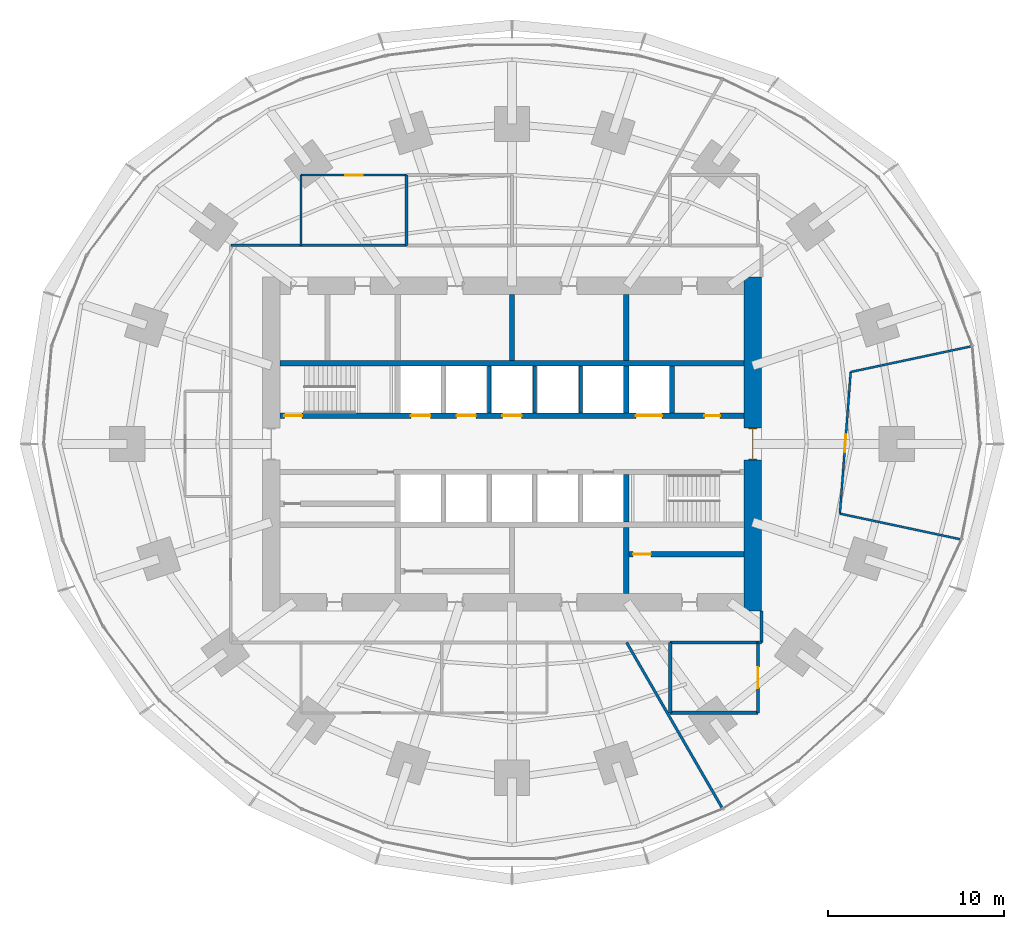
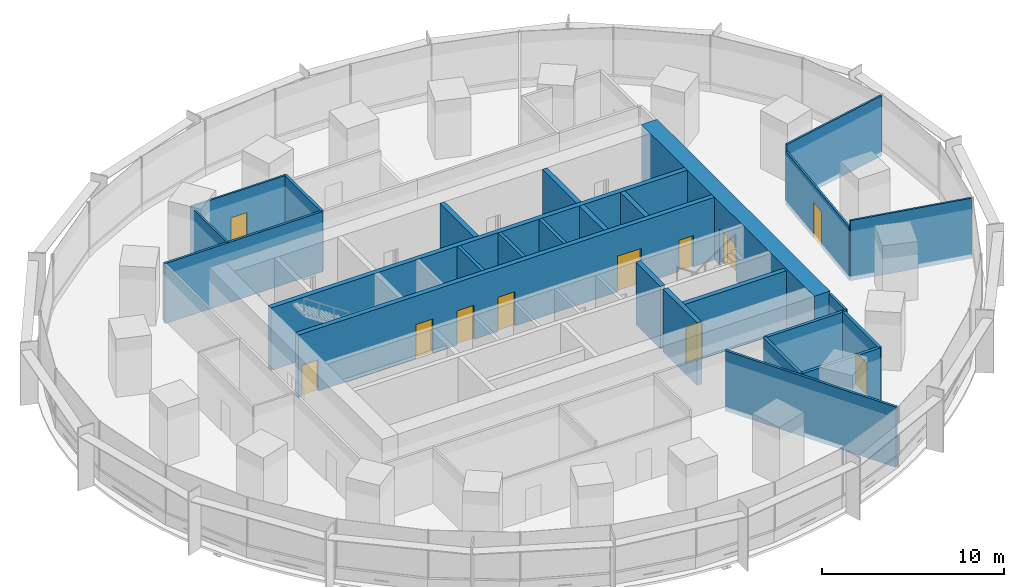
# One storey, part 12 of 15: 27 walls, 11 doors, 11 openings.
"""IFC4 building model written with IfcOpenShell, lengths in metres."""

from ifc_helpers import new_model, si_unit, direction, frame, frame_2d, origin, place, context, subcontext, project, spatial, rectangle, extrude, material, layer, layer_set, type_object, element, fill, save


model = new_model("IFC4")

# Units and contexts
model_context = context("Model", 3, precision=1e-05, world=origin(), true_north=direction((0.0, 1.0)))
body_context = subcontext(model_context, "Body", "Model", "MODEL_VIEW")
ifc_project = project(units=[si_unit("LENGTHUNIT", "METRE"), si_unit("AREAUNIT", "SQUARE_METRE"), si_unit("VOLUMEUNIT", "CUBIC_METRE"), si_unit("PLANEANGLEUNIT", "RADIAN"), si_unit("MASSUNIT", "GRAM", prefix="KILO")], contexts=[model_context])

# Site, building, storey
site_placement = place(None, origin())
site = spatial("IfcSite", under=ifc_project, at=site_placement, CompositionType="ELEMENT")
building_placement = place(site_placement, origin())
building = spatial("IfcBuilding", under=site, at=building_placement, Name="Marramba Exchange Tower", CompositionType="ELEMENT")
storey_placement = place(building_placement, frame((0.0, 0.0, 78.39990234375)))
storey = spatial("IfcBuildingStorey", under=building, at=storey_placement, Name="L18", CompositionType="ELEMENT", Elevation=78.39990234375)

# Walls
ifc_material_1 = material(Name="Plasterboard on staggered double steel studs, acoustic insulation", Category="steel")
ifc_layer_1 = layer(ifc_material_1, 0.169921875)
ifc_layer_set_1 = layer_set([ifc_layer_1], Name="Acoustic partition 170")
wall_type_1 = type_object("IfcWallType", Name="Acoustic partition 170", PredefinedType="PARTITIONING", material=ifc_layer_set_1)
wall_1_placement = place(storey_placement, frame((-6.0, 15.300048828125, 0.0), z_axis=(0.0, 0.0, 1.0), x_axis=(0.0, -1.0, 0.0)))
element("IfcWall", 1, at=wall_1_placement, inside=storey, type_object=wall_type_1, Name="Acoustic partition L18 28", PredefinedType="PARTITIONING", context=body_context, shape_type="SweptSolid", body=[
    extrude(rectangle(XDim=4.0, YDim=0.169921875, at=frame_2d((2.0, 0.0))), origin(), (0.0, 0.0, 1.0), 4.0400390625),
])
ifc_material_2 = material(Name="Concrete N50", Category="concrete")
ifc_layer_2 = layer(ifc_material_2, 0.199951171875)
ifc_layer_set_2 = layer_set([ifc_layer_2], Name="Core shaft wall 200")
wall_type_2 = type_object("IfcWallType", Name="Core shaft wall 200", PredefinedType="SHEAR", material=ifc_layer_set_2)
for number, where, z_axis, x_axis, name in (
    (2, (-1.300048828125, 1.75, 0.0), (0.0, 0.0, 1.0), (0.0, 1.0, 0.0), "Core wall SHN2 L18"),
    (3, (1.300048828125, 1.75, 0.0), (0.0, 0.0, 1.0), (0.0, 1.0, 0.0), "Core wall SHN3 L18"),
    (4, (3.89990234375, 1.75, 0.0), (0.0, 0.0, 1.0), (0.0, 1.0, 0.0), "Core wall SHN4 L18"),
):
    element("IfcWall", number, at=place(storey_placement, frame(where, z_axis=z_axis, x_axis=x_axis)), inside=storey, type_object=wall_type_2, Name=name, PredefinedType="SHEAR", context=body_context, shape_type="SweptSolid", body=[
        extrude(rectangle(XDim=2.699951171875, YDim=0.199951171875, at=frame_2d((1.35009765625, 0.0))), origin(), (0.0, 0.0, 1.0), 4.2001953125),
    ])

# Wall, opening, door
ifc_layer_3 = layer(ifc_material_2, 1.0)
ifc_layer_set_3 = layer_set([ifc_layer_3], Name="Core wall 1000")
wall_type_3 = type_object("IfcWallType", Name="Core wall 1000", PredefinedType="SHEAR", material=ifc_layer_set_3)
wall_2_placement = place(storey_placement, frame((13.699951171875, -9.5, 0.0), z_axis=(0.0, 0.0, 1.0), x_axis=(0.0, 1.0, 0.0)))
wall_2 = element("IfcWall", 5, at=wall_2_placement, inside=storey, type_object=wall_type_3, Name="Core wall E L18", PredefinedType="SHEAR", context=body_context, shape_type="SweptSolid", body=[
    extrude(rectangle(XDim=19.0, YDim=1.0, at=frame_2d((9.5, 0.0))), origin(), (0.0, 0.0, 1.0), 4.2001953125),
])
opening_1_placement = place(wall_2_placement, frame((8.60009765625, 0.0, 0.0)))
opening_1 = element("IfcOpeningElement", 6, at=opening_1_placement, cuts=wall_2, Name="Opening D1", PredefinedType="OPENING", context=body_context, shape_type="SweptSolid", body=[
    extrude(rectangle(XDim=1.800048828125, YDim=2.39990234375, at=frame_2d((0.89990234375, 1.199951171875))), frame((0.0, 0.510009765625, 0.0), z_axis=(0.0, -1.0, 0.0), x_axis=(1.0, 0.0, 0.0)), (0.0, 0.0, 1.0), 1.02001953125),
])
ifc_material_3 = material(Name="Steel-framed door", Category="steel")
door_type_1 = type_object("IfcDoorType", Name="Lobby exit door 1800x2400", OperationType="DOUBLE_DOOR_SINGLE_SWING", PredefinedType="DOOR", material=ifc_material_3)
door_1_placement = place(opening_1_placement, origin())
door_1 = element("IfcDoor", 7, at=door_1_placement, inside=storey, type_object=door_type_1, Name="D1 lobby exit east L18", OperationType="DOUBLE_DOOR_SINGLE_SWING", OverallHeight=2.39990234375, OverallWidth=1.800048828125, PredefinedType="DOOR", context=body_context, shape_type="SweptSolid", body=[
    extrude(rectangle(XDim=1.719970703125, YDim=2.35986328125, at=frame_2d((0.89990234375, 1.179931640625))), frame((0.0, 0.02490234375, 0.0), z_axis=(0.0, -1.0, 0.0), x_axis=(1.0, 0.0, 0.0)), (0.0, 0.0, 1.0), 0.050048828125),
    extrude(rectangle(XDim=0.04, YDim=2.39990234375, at=frame_2d((0.02001953125, 1.199951171875))), frame((0.0, 0.25, 0.0), z_axis=(0.0, -1.0, 0.0), x_axis=(1.0, 0.0, 0.0)), (0.0, 0.0, 1.0), 0.5),
    extrude(rectangle(XDim=0.04, YDim=2.39990234375, at=frame_2d((1.780029296875, 1.199951171875))), frame((0.0, 0.25, 0.0), z_axis=(0.0, -1.0, 0.0), x_axis=(1.0, 0.0, 0.0)), (0.0, 0.0, 1.0), 0.5),
    extrude(rectangle(XDim=1.719970703125, YDim=0.04, at=frame_2d((0.89990234375, 2.3798828125))), frame((0.0, 0.25, 0.0), z_axis=(0.0, -1.0, 0.0), x_axis=(1.0, 0.0, 0.0)), (0.0, 0.0, 1.0), 0.5),
])
fill(opening_1, door_1)

# Wall, openings, doors
ifc_layer_4 = layer(ifc_material_2, 0.300048828125)
ifc_layer_set_4 = layer_set([ifc_layer_4], Name="Core wall 300")
wall_type_4 = type_object("IfcWallType", Name="Core wall 300", PredefinedType="SHEAR", material=ifc_layer_set_4)
wall_3_placement = place(storey_placement, frame((-13.199951171875, 1.60009765625, 0.0), z_axis=(0.0, 0.0, 1.0), x_axis=(1.0, 0.0, 0.0)))
wall_3 = element("IfcWall", 8, at=wall_3_placement, inside=storey, type_object=wall_type_4, Name="Core wall LN L18", PredefinedType="SHEAR", context=body_context, shape_type="SweptSolid", body=[
    extrude(rectangle(XDim=26.39990234375, YDim=0.300048828125, at=frame_2d((13.199951171875, 0.0))), origin(), (0.0, 0.0, 1.0), 4.2001953125),
])
opening_2_placement = place(wall_3_placement, frame((0.25, 0.0, 0.0)))
opening_2 = element("IfcOpeningElement", 9, at=opening_2_placement, cuts=wall_3, Name="Opening D2", PredefinedType="OPENING", context=body_context, shape_type="SweptSolid", body=[
    extrude(rectangle(XDim=1.0, YDim=2.10009765625, at=frame_2d((0.5, 1.050048828125))), frame((0.0, 0.159912109375, 0.0), z_axis=(0.0, -1.0, 0.0), x_axis=(1.0, 0.0, 0.0)), (0.0, 0.0, 1.0), 0.320068359375),
])
opening_3_placement = place(wall_3_placement, frame((20.25, 0.0, 0.0)))
opening_3 = element("IfcOpeningElement", 10, at=opening_3_placement, cuts=wall_3, Name="Opening LD3", PredefinedType="OPENING", context=body_context, shape_type="SweptSolid", body=[
    extrude(rectangle(XDim=1.5, YDim=2.39990234375, at=frame_2d((0.75, 1.199951171875))), frame((0.0, 0.159912109375, 0.0), z_axis=(0.0, -1.0, 0.0), x_axis=(1.0, 0.0, 0.0)), (0.0, 0.0, 1.0), 0.320068359375),
])
opening_4_placement = place(wall_3_placement, frame((7.449951171875, 0.0, 0.0)))
opening_4 = element("IfcOpeningElement", 11, at=opening_4_placement, cuts=wall_3, Name="Opening LD1", PredefinedType="OPENING", context=body_context, shape_type="SweptSolid", body=[
    extrude(rectangle(XDim=1.10009765625, YDim=2.300048828125, at=frame_2d((0.550048828125, 1.14990234375))), frame((0.0, 0.159912109375, 0.0), z_axis=(0.0, -1.0, 0.0), x_axis=(1.0, 0.0, 0.0)), (0.0, 0.0, 1.0), 0.320068359375),
])
opening_5_placement = place(wall_3_placement, frame((10.050048828125, 0.0, 0.0)))
opening_5 = element("IfcOpeningElement", 12, at=opening_5_placement, cuts=wall_3, Name="Opening LD1", PredefinedType="OPENING", context=body_context, shape_type="SweptSolid", body=[
    extrude(rectangle(XDim=1.10009765625, YDim=2.300048828125, at=frame_2d((0.550048828125, 1.14990234375))), frame((0.0, 0.159912109375, 0.0), z_axis=(0.0, -1.0, 0.0), x_axis=(1.0, 0.0, 0.0)), (0.0, 0.0, 1.0), 0.320068359375),
])
opening_6_placement = place(wall_3_placement, frame((12.64990234375, 0.0, 0.0)))
opening_6 = element("IfcOpeningElement", 13, at=opening_6_placement, cuts=wall_3, Name="Opening LD1", PredefinedType="OPENING", context=body_context, shape_type="SweptSolid", body=[
    extrude(rectangle(XDim=1.10009765625, YDim=2.300048828125, at=frame_2d((0.550048828125, 1.14990234375))), frame((0.0, 0.159912109375, 0.0), z_axis=(0.0, -1.0, 0.0), x_axis=(1.0, 0.0, 0.0)), (0.0, 0.0, 1.0), 0.320068359375),
])
opening_7_placement = place(wall_3_placement, frame((24.14990234375, 0.0, 0.0)))
opening_7 = element("IfcOpeningElement", 14, at=opening_7_placement, cuts=wall_3, Name="Opening D5", PredefinedType="OPENING", context=body_context, shape_type="SweptSolid", body=[
    extrude(rectangle(XDim=0.89990234375, YDim=2.10009765625, at=frame_2d((0.449951171875, 1.050048828125))), frame((0.0, 0.159912109375, 0.0), z_axis=(0.0, -1.0, 0.0), x_axis=(1.0, 0.0, 0.0)), (0.0, 0.0, 1.0), 0.320068359375),
])
door_type_2 = type_object("IfcDoorType", Name="Goods lift landing door 1500x2400", OperationType="SLIDING_TO_LEFT", PredefinedType="DOOR", material=ifc_material_3)
door_2_placement = place(opening_3_placement, origin())
door_2 = element("IfcDoor", 15, at=door_2_placement, inside=storey, type_object=door_type_2, Name="GL1 landing door L18", OperationType="SLIDING_TO_LEFT", OverallHeight=2.39990234375, OverallWidth=1.5, PredefinedType="DOOR", context=body_context, shape_type="SweptSolid", body=[
    extrude(rectangle(XDim=1.5, YDim=2.39990234375, at=frame_2d((0.75, 1.199951171875))), frame((0.0, 0.02490234375, 0.0), z_axis=(0.0, -1.0, 0.0), x_axis=(1.0, 0.0, 0.0)), (0.0, 0.0, 1.0), 0.050048828125),
])
fill(opening_3, door_2)
door_type_3 = type_object("IfcDoorType", Name="Lift landing door 1100x2300", OperationType="SLIDING_TO_LEFT", PredefinedType="DOOR", material=ifc_material_3)
door_3_placement = place(opening_4_placement, origin())
door_3 = element("IfcDoor", 16, at=door_3_placement, inside=storey, type_object=door_type_3, Name="LA1 landing door L18", OperationType="SLIDING_TO_LEFT", OverallHeight=2.300048828125, OverallWidth=1.10009765625, PredefinedType="DOOR", context=body_context, shape_type="SweptSolid", body=[
    extrude(rectangle(XDim=1.10009765625, YDim=2.300048828125, at=frame_2d((0.550048828125, 1.14990234375))), frame((0.0, 0.02490234375, 0.0), z_axis=(0.0, -1.0, 0.0), x_axis=(1.0, 0.0, 0.0)), (0.0, 0.0, 1.0), 0.050048828125),
])
fill(opening_4, door_3)
door_4_placement = place(opening_5_placement, origin())
door_4 = element("IfcDoor", 17, at=door_4_placement, inside=storey, type_object=door_type_3, Name="LA2 landing door L18", OperationType="SLIDING_TO_LEFT", OverallHeight=2.300048828125, OverallWidth=1.10009765625, PredefinedType="DOOR", context=body_context, shape_type="SweptSolid", body=[
    extrude(rectangle(XDim=1.10009765625, YDim=2.300048828125, at=frame_2d((0.550048828125, 1.14990234375))), frame((0.0, 0.02490234375, 0.0), z_axis=(0.0, -1.0, 0.0), x_axis=(1.0, 0.0, 0.0)), (0.0, 0.0, 1.0), 0.050048828125),
])
fill(opening_5, door_4)
door_5_placement = place(opening_6_placement, origin())
door_5 = element("IfcDoor", 18, at=door_5_placement, inside=storey, type_object=door_type_3, Name="LA3 landing door L18", OperationType="SLIDING_TO_RIGHT", OverallHeight=2.300048828125, OverallWidth=1.10009765625, PredefinedType="DOOR", context=body_context, shape_type="SweptSolid", body=[
    extrude(rectangle(XDim=1.10009765625, YDim=2.300048828125, at=frame_2d((0.550048828125, 1.14990234375))), frame((0.0, 0.02490234375, 0.0), z_axis=(0.0, -1.0, 0.0), x_axis=(1.0, 0.0, 0.0)), (0.0, 0.0, 1.0), 0.050048828125),
])
fill(opening_6, door_5)
door_type_4 = type_object("IfcDoorType", Name="Service door 900x2100", OperationType="SINGLE_SWING_LEFT", PredefinedType="DOOR", material=ifc_material_3)
door_6_placement = place(opening_7_placement, origin())
door_6 = element("IfcDoor", 19, at=door_6_placement, inside=storey, type_object=door_type_4, Name="D5 riser L18", OperationType="SINGLE_SWING_RIGHT", OverallHeight=2.10009765625, OverallWidth=0.89990234375, PredefinedType="DOOR", context=body_context, shape_type="SweptSolid", body=[
    extrude(rectangle(XDim=0.89990234375, YDim=2.10009765625, at=frame_2d((0.449951171875, 1.050048828125))), frame((0.0, 0.02490234375, 0.0), z_axis=(0.0, -1.0, 0.0), x_axis=(1.0, 0.0, 0.0)), (0.0, 0.0, 1.0), 0.050048828125),
])
fill(opening_7, door_6)
door_type_5 = type_object("IfcDoorType", Name="Stair door 1000x2100", OperationType="SINGLE_SWING_LEFT", PredefinedType="DOOR", material=ifc_material_3)
door_7_placement = place(opening_2_placement, origin())
door_7 = element("IfcDoor", 20, at=door_7_placement, inside=storey, type_object=door_type_5, Name="D2 stair ST1 L18", OperationType="SINGLE_SWING_LEFT", OverallHeight=2.10009765625, OverallWidth=1.0, PredefinedType="DOOR", context=body_context, shape_type="SweptSolid", body=[
    extrude(rectangle(XDim=1.0, YDim=2.10009765625, at=frame_2d((0.5, 1.050048828125))), frame((0.0, 0.02490234375, 0.0), z_axis=(0.0, -1.0, 0.0), x_axis=(1.0, 0.0, 0.0)), (0.0, 0.0, 1.0), 0.050048828125),
])
fill(opening_2, door_7)

# Walls
wall_4_placement = place(storey_placement, frame((-13.199951171875, 4.60009765625, 0.0), z_axis=(0.0, 0.0, 1.0), x_axis=(1.0, 0.0, 0.0)))
element("IfcWall", 21, at=wall_4_placement, inside=storey, type_object=wall_type_4, Name="Core wall BN L18", PredefinedType="SHEAR", context=body_context, shape_type="SweptSolid", body=[
    extrude(rectangle(XDim=26.39990234375, YDim=0.300048828125, at=frame_2d((13.199951171875, 0.0))), origin(), (0.0, 0.0, 1.0), 4.2001953125),
])
wall_5_placement = place(storey_placement, frame((6.5, 1.75, 0.0), z_axis=(0.0, 0.0, 1.0), x_axis=(0.0, 1.0, 0.0)))
element("IfcWall", 22, at=wall_5_placement, inside=storey, type_object=wall_type_4, Name="Core wall X1Na L18", PredefinedType="SHEAR", context=body_context, shape_type="SweptSolid", body=[
    extrude(rectangle(XDim=2.699951171875, YDim=0.300048828125, at=frame_2d((1.35009765625, 0.0))), origin(), (0.0, 0.0, 1.0), 4.2001953125),
])
for number, where, z_axis, x_axis, name in (
    (23, (6.5, 4.75, 0.0), (0.0, 0.0, 1.0), (0.0, 1.0, 0.0), "Core wall X1Nb L18"),
    (24, (0.0, 4.75, 0.0), (0.0, 0.0, 1.0), (0.0, 1.0, 0.0), "Core wall MN L18"),
):
    element("IfcWall", number, at=place(storey_placement, frame(where, z_axis=z_axis, x_axis=x_axis)), inside=storey, type_object=wall_type_4, Name=name, PredefinedType="SHEAR", context=body_context, shape_type="SweptSolid", body=[
        extrude(rectangle(XDim=3.75, YDim=0.300048828125, at=frame_2d((1.875, 0.0))), origin(), (0.0, 0.0, 1.0), 4.2001953125),
    ])
wall_6_placement = place(storey_placement, frame((6.5, -1.75, 0.0), z_axis=(0.0, 0.0, 1.0), x_axis=(0.0, -1.0, 0.0)))
element("IfcWall", 25, at=wall_6_placement, inside=storey, type_object=wall_type_4, Name="Core wall X1Sa L18", PredefinedType="SHEAR", context=body_context, shape_type="SweptSolid", body=[
    extrude(rectangle(XDim=2.699951171875, YDim=0.300048828125, at=frame_2d((1.35009765625, 0.0))), origin(), (0.0, 0.0, 1.0), 4.2001953125),
])
wall_7_placement = place(storey_placement, frame((6.5, -4.75, 0.0), z_axis=(0.0, 0.0, 1.0), x_axis=(0.0, -1.0, 0.0)))
element("IfcWall", 26, at=wall_7_placement, inside=storey, type_object=wall_type_4, Name="Core wall X1Sb L18", PredefinedType="SHEAR", context=body_context, shape_type="SweptSolid", body=[
    extrude(rectangle(XDim=3.75, YDim=0.300048828125, at=frame_2d((1.875, 0.0))), origin(), (0.0, 0.0, 1.0), 4.2001953125),
])
wall_8_placement = place(storey_placement, frame((9.10009765625, 1.75, 0.0), z_axis=(0.0, 0.0, 1.0), x_axis=(0.0, 1.0, 0.0)))
element("IfcWall", 27, at=wall_8_placement, inside=storey, type_object=wall_type_4, Name="Core wall ED L18", PredefinedType="SHEAR", context=body_context, shape_type="SweptSolid", body=[
    extrude(rectangle(XDim=2.699951171875, YDim=0.300048828125, at=frame_2d((1.35009765625, 0.0))), origin(), (0.0, 0.0, 1.0), 4.2001953125),
])
ifc_material_4 = material(Name="Core-filled concrete blockwork, rendered", Category="masonry")
ifc_layer_5 = layer(ifc_material_4, 0.18994140625)
ifc_layer_set_5 = layer_set([ifc_layer_5], Name="Equipment room wall 190")
wall_type_5 = type_object("IfcWallType", Name="Equipment room wall 190", PredefinedType="SOLIDWALL", material=ifc_layer_set_5)
wall_9_placement = place(storey_placement, frame((9.0, -11.300048828125, 0.0), z_axis=(0.0, 0.0, 1.0), x_axis=(0.0, -1.0, 0.0)))
element("IfcWall", 28, at=wall_9_placement, inside=storey, type_object=wall_type_5, Name="Equipment room wall L18 08", PredefinedType="SOLIDWALL", context=body_context, shape_type="SweptSolid", body=[
    extrude(rectangle(XDim=4.0, YDim=0.18994140625, at=frame_2d((2.0, 0.0))), origin(), (0.0, 0.0, 1.0), 4.0400390625),
])
for number, where, z_axis, x_axis, name in (
    (29, (9.0, -15.300048828125, 0.0), (0.0, 0.0, 1.0), (1.0, 0.0, 0.0), "Equipment room wall L18 09"),
    (30, (14.0, -11.300048828125, 0.0), (0.0, 0.0, 1.0), (-1.0, 0.0, 0.0), "Equipment room wall L18 10"),
):
    element("IfcWall", number, at=place(storey_placement, frame(where, z_axis=z_axis, x_axis=x_axis)), inside=storey, type_object=wall_type_5, Name=name, PredefinedType="SOLIDWALL", context=body_context, shape_type="SweptSolid", body=[
        extrude(rectangle(XDim=5.0, YDim=0.18994140625, at=frame_2d((2.5, 0.0))), origin(), (0.0, 0.0, 1.0), 4.0400390625),
    ])

# Wall, opening, door
wall_10_placement = place(storey_placement, frame((14.0, -15.300048828125, 0.0), z_axis=(0.0, 0.0, 1.0), x_axis=(0.0, 1.0, 0.0)))
wall_10 = element("IfcWall", 31, at=wall_10_placement, inside=storey, type_object=wall_type_5, Name="Equipment room wall L18 11", PredefinedType="SOLIDWALL", context=body_context, shape_type="SweptSolid", body=[
    extrude(rectangle(XDim=4.0, YDim=0.18994140625, at=frame_2d((2.0, 0.0))), origin(), (0.0, 0.0, 1.0), 4.0400390625),
])
opening_8_placement = place(wall_10_placement, frame((1.39990234375, 0.0, 0.0)))
opening_8 = element("IfcOpeningElement", 32, at=opening_8_placement, cuts=wall_10, Name="Opening D16", PredefinedType="OPENING", context=body_context, shape_type="SweptSolid", body=[
    extrude(rectangle(XDim=1.199951171875, YDim=2.10009765625, at=frame_2d((0.60009765625, 1.050048828125))), frame((0.0, 0.10498046875, 0.0), z_axis=(0.0, -1.0, 0.0), x_axis=(1.0, 0.0, 0.0)), (0.0, 0.0, 1.0), 0.2099609375),
])
door_type_6 = type_object("IfcDoorType", Name="Equipment room door 1200x2100", OperationType="SINGLE_SWING_LEFT", PredefinedType="DOOR", material=ifc_material_3)
door_8_placement = place(opening_8_placement, origin())
door_8 = element("IfcDoor", 33, at=door_8_placement, inside=storey, type_object=door_type_6, Name="D16 Data Room L18", OperationType="SINGLE_SWING_RIGHT", OverallHeight=2.10009765625, OverallWidth=1.199951171875, PredefinedType="DOOR", context=body_context, shape_type="SweptSolid", body=[
    extrude(rectangle(XDim=1.199951171875, YDim=2.10009765625, at=frame_2d((0.60009765625, 1.050048828125))), frame((0.0, 0.02490234375, 0.0), z_axis=(0.0, -1.0, 0.0), x_axis=(1.0, 0.0, 0.0)), (0.0, 0.0, 1.0), 0.050048828125),
])
fill(opening_8, door_8)

# Wall
ifc_material_5 = material(Name="Plasterboard on steel studs", Category="steel")
ifc_layer_6 = layer(ifc_material_5, 0.1201171875)
ifc_layer_set_6 = layer_set([ifc_layer_6], Name="Partition 120")
wall_type_6 = type_object("IfcWallType", Name="Partition 120", PredefinedType="PARTITIONING", material=ifc_layer_set_6)
wall_11_placement = place(storey_placement, frame((18.659423828125, -3.96630859375, 0.0), z_axis=(0.0, 0.0, 1.0), x_axis=(0.978148655968, -0.207906726269, 0.0)))
element("IfcWall", 34, at=wall_11_placement, inside=storey, type_object=wall_type_6, Name="Partition L18 14", PredefinedType="PARTITIONING", context=body_context, shape_type="SweptSolid", body=[
    extrude(rectangle(XDim=7.0, YDim=0.1201171875, at=frame_2d((3.5, 0.0))), origin(), (0.0, 0.0, 1.0), 4.0400390625),
])

# Wall, opening, door
wall_12_placement = place(storey_placement, frame((19.276123046875, 4.097412109375, 0.0), z_axis=(0.0, 0.0, 1.0), x_axis=(-0.076255565094, -0.997088305413, 0.0)))
wall_12 = element("IfcWall", 35, at=wall_12_placement, inside=storey, type_object=wall_type_6, Name="Partition L18 15", PredefinedType="PARTITIONING", context=body_context, shape_type="SweptSolid", body=[
    extrude(rectangle(XDim=8.087158203125, YDim=0.1201171875, at=frame_2d((4.04345703125, 0.0))), origin(), (0.0, 0.0, 1.0), 3.586181640625),
])
opening_9_placement = place(wall_12_placement, frame((3.569091796875, 0.0, 0.0)))
opening_9 = element("IfcOpeningElement", 36, at=opening_9_placement, cuts=wall_12, Name="Opening D9", PredefinedType="OPENING", context=body_context, shape_type="SweptSolid", body=[
    extrude(rectangle(XDim=1.0, YDim=2.39990234375, at=frame_2d((0.5, 1.199951171875))), frame((0.0, 0.070068359375, 0.0), z_axis=(0.0, -1.0, 0.0), x_axis=(1.0, 0.0, 0.0)), (0.0, 0.0, 1.0), 0.14013671875),
])
ifc_material_6 = material(Name="Timber door", Category="wood")
door_type_7 = type_object("IfcDoorType", Name="Room door 1000x2400", OperationType="SINGLE_SWING_LEFT", PredefinedType="DOOR", material=ifc_material_6)
door_9_placement = place(opening_9_placement, origin())
door_9 = element("IfcDoor", 37, at=door_9_placement, inside=storey, type_object=door_type_7, Name="D9 Market Control Room L18", OperationType="SINGLE_SWING_RIGHT", OverallHeight=2.39990234375, OverallWidth=1.0, PredefinedType="DOOR", context=body_context, shape_type="SweptSolid", body=[
    extrude(rectangle(XDim=1.0, YDim=2.39990234375, at=frame_2d((0.5, 1.199951171875))), frame((0.0, 0.02490234375, 0.0), z_axis=(0.0, -1.0, 0.0), x_axis=(1.0, 0.0, 0.0)), (0.0, 0.0, 1.0), 0.050048828125),
])
fill(opening_9, door_9)

# Wall
wall_13_placement = place(storey_placement, frame((26.123291015625, 5.552734375, 0.0), z_axis=(0.0, 0.0, 1.0), x_axis=(-0.978150163492, -0.207899633622, 0.0)))
element("IfcWall", 38, at=wall_13_placement, inside=storey, type_object=wall_type_6, Name="Partition L18 16", PredefinedType="PARTITIONING", context=body_context, shape_type="SweptSolid", body=[
    extrude(rectangle(XDim=7.0, YDim=0.1201171875, at=frame_2d((3.5, 0.0))), origin(), (0.0, 0.0, 1.0), 4.0400390625),
])

# Wall, opening, door
wall_14_placement = place(storey_placement, frame((-6.0, 15.300048828125, 0.0), z_axis=(0.0, 0.0, 1.0), x_axis=(-1.0, 0.0, 0.0)))
wall_14 = element("IfcWall", 39, at=wall_14_placement, inside=storey, type_object=wall_type_6, Name="Partition L18 29", PredefinedType="PARTITIONING", context=body_context, shape_type="SweptSolid", body=[
    extrude(rectangle(XDim=6.0, YDim=0.1201171875, at=frame_2d((3.0, 0.0))), origin(), (0.0, 0.0, 1.0), 4.0400390625),
])
opening_10_placement = place(wall_14_placement, frame((2.5, 0.0, 0.0)))
opening_10 = element("IfcOpeningElement", 40, at=opening_10_placement, cuts=wall_14, Name="Opening D9", PredefinedType="OPENING", context=body_context, shape_type="SweptSolid", body=[
    extrude(rectangle(XDim=1.0, YDim=2.39990234375, at=frame_2d((0.5, 1.199951171875))), frame((0.0, 0.070068359375, 0.0), z_axis=(0.0, -1.0, 0.0), x_axis=(1.0, 0.0, 0.0)), (0.0, 0.0, 1.0), 0.14013671875),
])
door_10_placement = place(opening_10_placement, origin())
door_10 = element("IfcDoor", 41, at=door_10_placement, inside=storey, type_object=door_type_7, Name="D9 Settlements Office L18", OperationType="SINGLE_SWING_RIGHT", OverallHeight=2.39990234375, OverallWidth=1.0, PredefinedType="DOOR", context=body_context, shape_type="SweptSolid", body=[
    extrude(rectangle(XDim=1.0, YDim=2.39990234375, at=frame_2d((0.5, 1.199951171875))), frame((0.0, 0.02490234375, 0.0), z_axis=(0.0, -1.0, 0.0), x_axis=(1.0, 0.0, 0.0)), (0.0, 0.0, 1.0), 0.050048828125),
])
fill(opening_10, door_10)

# Wall
wall_15_placement = place(storey_placement, frame((-12.0, 15.300048828125, 0.0), z_axis=(0.0, 0.0, 1.0), x_axis=(0.0, -1.0, 0.0)))
element("IfcWall", 42, at=wall_15_placement, inside=storey, type_object=wall_type_6, Name="Partition L18 30", PredefinedType="PARTITIONING", context=body_context, shape_type="SweptSolid", body=[
    extrude(rectangle(XDim=4.0, YDim=0.1201171875, at=frame_2d((2.0, 0.0))), origin(), (0.0, 0.0, 1.0), 4.0400390625),
])

# Wall, opening, door
ifc_material_7 = material(Name="Plasterboard on steel studs, insulated, unrated", Category="steel")
ifc_layer_7 = layer(ifc_material_7, 0.300048828125)
ifc_layer_set_7 = layer_set([ifc_layer_7], Name="Store partition 300")
wall_type_7 = type_object("IfcWallType", Name="Store partition 300", PredefinedType="PARTITIONING", material=ifc_layer_set_7)
wall_16_placement = place(storey_placement, frame((6.64990234375, -6.27197265625, 0.0), z_axis=(0.0, 0.0, 1.0), x_axis=(1.0, 0.0, 0.0)))
wall_16 = element("IfcWall", 43, at=wall_16_placement, inside=storey, type_object=wall_type_7, Name="Store partition L18 cstore", PredefinedType="PARTITIONING", context=body_context, shape_type="SweptSolid", body=[
    extrude(rectangle(XDim=6.550048828125, YDim=0.300048828125, at=frame_2d((3.27490234375, 0.0))), origin(), (0.0, 0.0, 1.0), 4.0400390625),
])
opening_11_placement = place(wall_16_placement, frame((0.25, 0.0, 0.0)))
opening_11 = element("IfcOpeningElement", 44, at=opening_11_placement, cuts=wall_16, Name="Opening D9", PredefinedType="OPENING", context=body_context, shape_type="SweptSolid", body=[
    extrude(rectangle(XDim=1.0, YDim=2.39990234375, at=frame_2d((0.5, 1.199951171875))), frame((0.0, 0.159912109375, 0.0), z_axis=(0.0, -1.0, 0.0), x_axis=(1.0, 0.0, 0.0)), (0.0, 0.0, 1.0), 0.320068359375),
])
door_11_placement = place(opening_11_placement, origin())
door_11 = element("IfcDoor", 45, at=door_11_placement, inside=storey, type_object=door_type_7, Name="D9 general store L18", OperationType="SINGLE_SWING_LEFT", OverallHeight=2.39990234375, OverallWidth=1.0, PredefinedType="DOOR", context=body_context, shape_type="SweptSolid", body=[
    extrude(rectangle(XDim=1.0, YDim=2.39990234375, at=frame_2d((0.5, 1.199951171875))), frame((0.0, 0.02490234375, 0.0), z_axis=(0.0, -1.0, 0.0), x_axis=(1.0, 0.0, 0.0)), (0.0, 0.0, 1.0), 0.050048828125),
])
fill(opening_11, door_11)

# Walls
ifc_material_8 = material(Name="Fire-rated plasterboard on steel studs, acoustic insulation", Category="steel")
ifc_layer_8 = layer(ifc_material_8, 0.14990234375)
ifc_layer_set_8 = layer_set([ifc_layer_8], Name="Tenancy wall 150")
wall_type_8 = type_object("IfcWallType", Name="Tenancy wall 150", PredefinedType="PARTITIONING", material=ifc_layer_set_8)
wall_17_placement = place(storey_placement, frame((11.94921875, -20.69677734375, 0.0), z_axis=(0.0, 0.0, 1.0), x_axis=(-0.499989292232, 0.866031585829, 0.0)))
element("IfcWall", 46, at=wall_17_placement, inside=storey, type_object=wall_type_8, Name="Tenancy wall L18 07", PredefinedType="PARTITIONING", context=body_context, shape_type="SweptSolid", body=[
    extrude(rectangle(XDim=10.850341796875, YDim=0.14990234375, at=frame_2d((5.42529296875, 0.0))), origin(), (0.0, 0.0, 1.0), 4.0400390625),
])
wall_18_placement = place(storey_placement, frame((14.0, -11.300048828125, 0.0), z_axis=(0.0, 0.0, 1.0), x_axis=(1.0, 0.0, 0.0)))
element("IfcWall", 47, at=wall_18_placement, inside=storey, type_object=wall_type_8, Name="Tenancy wall L18 12", PredefinedType="PARTITIONING", context=body_context, shape_type="SweptSolid", body=[
    extrude(rectangle(XDim=0.199951171875, YDim=0.14990234375, at=frame_2d((0.10009765625, 0.0))), origin(), (0.0, 0.0, 1.0), 4.0400390625),
])
wall_19_placement = place(storey_placement, frame((14.199951171875, -11.300048828125, 0.0), z_axis=(0.0, 0.0, 1.0), x_axis=(0.0, 1.0, 0.0)))
element("IfcWall", 48, at=wall_19_placement, inside=storey, type_object=wall_type_8, Name="Tenancy wall L18 13", PredefinedType="PARTITIONING", context=body_context, shape_type="SweptSolid", body=[
    extrude(rectangle(XDim=1.800048828125, YDim=0.14990234375, at=frame_2d((0.89990234375, 0.0))), origin(), (0.0, 0.0, 1.0), 4.0400390625),
])
wall_20_placement = place(storey_placement, frame((-6.0, 11.300048828125, 0.0), z_axis=(0.0, 0.0, 1.0), x_axis=(-1.0, 0.0, 0.0)))
element("IfcWall", 49, at=wall_20_placement, inside=storey, type_object=wall_type_8, Name="Tenancy wall L18 31", PredefinedType="PARTITIONING", context=body_context, shape_type="SweptSolid", body=[
    extrude(rectangle(XDim=10.0, YDim=0.14990234375, at=frame_2d((5.0, 0.0))), origin(), (0.0, 0.0, 1.0), 4.0400390625),
])

save(model, "model.ifc")
